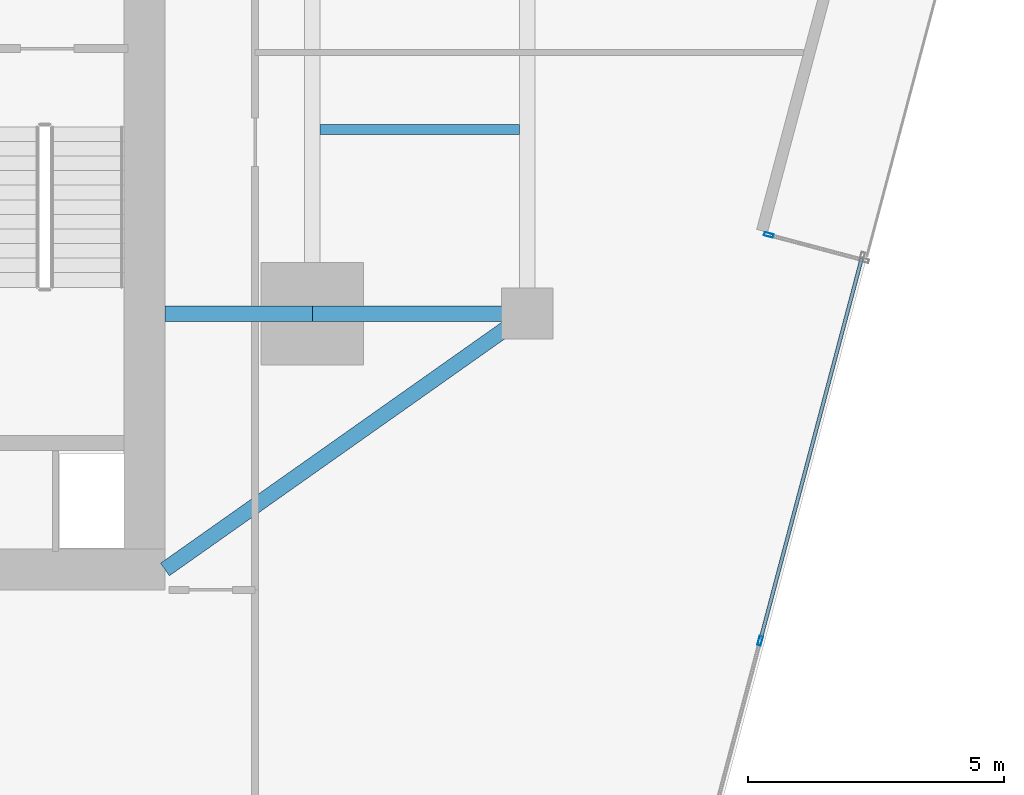
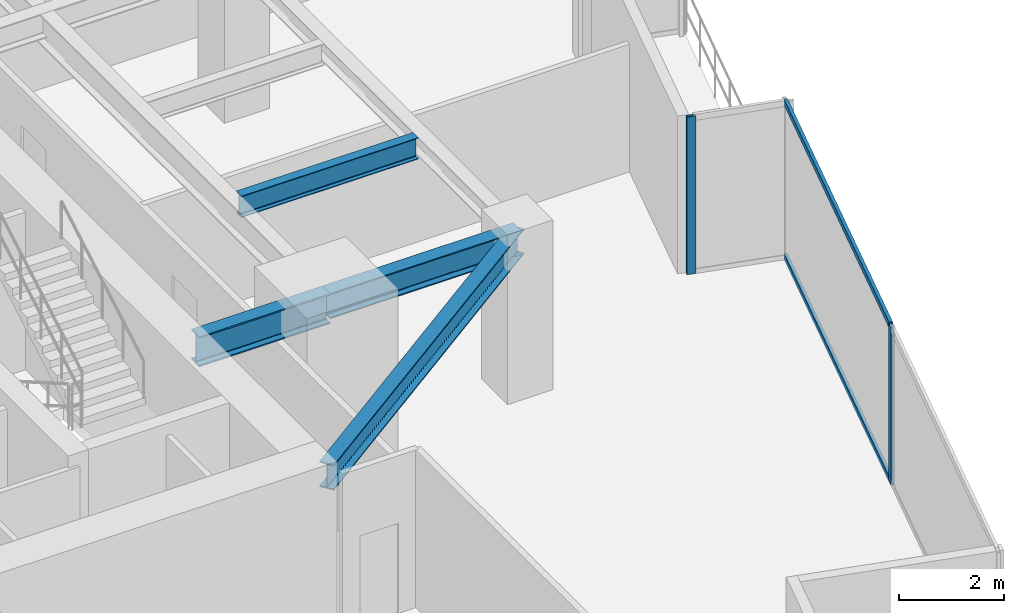
# One storey, part 11 of 27: 4 beams, 4 members, 2 elements without a shape of their own.
"""IFC4 building model written with IfcOpenShell, lengths in metres."""

from ifc_helpers import new_model, si_unit, direction, frame, origin, origin_2d, place, context, subcontext, project, spatial, hollow_rectangle, i_section, extrude, source, transform, mapped, material, material_profile, profile_set, type_object, type_shapes, element, aggregate, save


model = new_model("IFC4")

# Units and contexts
model_context = context("Model", 3, precision=1e-05, world=origin(), true_north=direction((0.0, 1.0)))
body_context = subcontext(model_context, "Body", "Model", "MODEL_VIEW")
ifc_project = project(units=[si_unit("LENGTHUNIT", "METRE"), si_unit("AREAUNIT", "SQUARE_METRE"), si_unit("VOLUMEUNIT", "CUBIC_METRE"), si_unit("PLANEANGLEUNIT", "RADIAN"), si_unit("MASSUNIT", "GRAM", prefix="KILO")], contexts=[model_context])

# Site, building, storey
site_placement = place(None, origin())
site = spatial("IfcSite", under=ifc_project, at=site_placement, CompositionType="ELEMENT")
building_placement = place(site_placement, origin())
building = spatial("IfcBuilding", under=site, at=building_placement, Name="Krantzveldt Concourse Tower", CompositionType="ELEMENT")
storey_placement = place(building_placement, frame((0.0, 0.0, 105.85009765625)))
storey = spatial("IfcBuildingStorey", under=building, at=storey_placement, Name="L25", CompositionType="ELEMENT", Elevation=105.85009765625)

# Beams
ifc_material_1 = material(Name="Steel S355J2", Category="steel")
ifc_material_profile_1 = material_profile(ifc_material_1, i_section(OverallWidth=0.300048828125, OverallDepth=0.699951171875, WebThickness=0.01708984375, FlangeThickness=0.031982421875, FilletRadius=0.027099609375, at=origin_2d()), Name="Steel S355J2", Category="steel")
ifc_profile_set_1 = profile_set([ifc_material_profile_1], Name="Steel S355J2 - HEB 700")
beam_type_1 = type_object("IfcBeamType", Name="BM-B-HEB700", PredefinedType="BEAM", material=ifc_profile_set_1)
shared_shape_1 = source(origin(), body_context, "Body", "SweptSolid", [
    extrude(i_section(OverallWidth=0.300048828125, OverallDepth=0.699951171875, WebThickness=0.01708984375, FlangeThickness=0.031982421875, FilletRadius=0.027099609375, at=origin_2d()), origin(), (0.0, 0.0, 1.0), 2.880126953125),
])
type_shapes(beam_type_1, [shared_shape_1])
beam_1_placement = place(storey_placement, frame((43.919921875, 15.89990234375, 3.31982421875), z_axis=(1.0, 0.0, 0.0), x_axis=(0.0, 1.0, 0.0)))
element("IfcBeam", 1, at=beam_1_placement, inside=storey, type_object=beam_type_1, Name="L25 Tower Girder BG-CE1", PredefinedType="BEAM", context=body_context, shape_type="MappedRepresentation", body=[
    mapped(shared_shape_1, transform((0.0, 0.0, 0.0), x_axis=(1.0, 0.0, 0.0), y_axis=(0.0, 1.0, 0.0), z_axis=(0.0, 0.0, 1.0), scale=1.0)),
])
ifc_material_2 = material(Name="Steel S355JR", Category="steel")
ifc_material_profile_2 = material_profile(ifc_material_2, i_section(OverallWidth=0.300048828125, OverallDepth=0.590087890625, WebThickness=0.012939453125, FlangeThickness=0.02490234375, FilletRadius=0.027099609375, at=origin_2d()), Name="Steel S355JR", Category="steel")
ifc_profile_set_2 = profile_set([ifc_material_profile_2], Name="Steel S355JR - HEA 600")
beam_type_2 = type_object("IfcBeamType", Name="BM-B-HEA600", PredefinedType="BEAM", material=ifc_profile_set_2)
shared_shape_2 = source(origin(), body_context, "Body", "SweptSolid", [
    extrude(i_section(OverallWidth=0.300048828125, OverallDepth=0.590087890625, WebThickness=0.012939453125, FlangeThickness=0.02490234375, FilletRadius=0.027099609375, at=origin_2d()), origin(), (0.0, 0.0, 1.0), 4.199951171875),
])
beam_2_placement = place(storey_placement, frame((46.800048828125, 15.89990234375, 3.375), z_axis=(1.0, 0.0, 0.0), x_axis=(0.0, 1.0, 0.0)))
element("IfcBeam", 2, at=beam_2_placement, inside=storey, type_object=beam_type_2, Name="L25 Tower Girder BR-RR1", PredefinedType="BEAM", context=body_context, shape_type="MappedRepresentation", body=[
    mapped(shared_shape_2, transform((0.0, 0.0, 0.0), x_axis=(1.0, 0.0, 0.0), y_axis=(0.0, 1.0, 0.0), z_axis=(0.0, 0.0, 1.0), scale=1.0)),
])
shared_shape_3 = source(origin(), body_context, "Body", "SweptSolid", [
    extrude(i_section(OverallWidth=0.300048828125, OverallDepth=0.590087890625, WebThickness=0.012939453125, FlangeThickness=0.02490234375, FilletRadius=0.027099609375, at=origin_2d()), origin(), (0.0, 0.0, 1.0), 8.667724609375),
])
type_shapes(beam_type_2, [shared_shape_2, shared_shape_3])
beam_3_placement = place(storey_placement, frame((51.0, 15.89990234375, 3.375), z_axis=(-0.81684294656, -0.576860122261, 0.0), x_axis=(0.576860122261, -0.81684294656, 0.0)))
element("IfcBeam", 3, at=beam_3_placement, inside=storey, type_object=beam_type_2, Name="L25 Tower Girder BR-CSE", PredefinedType="BEAM", context=body_context, shape_type="MappedRepresentation", body=[
    mapped(shared_shape_3, transform((0.0, 0.0, 0.0), x_axis=(1.0, 0.0, 0.0), y_axis=(0.0, 1.0, 0.0), z_axis=(0.0, 0.0, 1.0), scale=1.0)),
])
ifc_material_profile_3 = material_profile(ifc_material_2, i_section(OverallWidth=0.199951171875, OverallDepth=0.5, WebThickness=0.01025390625, FlangeThickness=0.01611328125, FilletRadius=0.02099609375, at=origin_2d()), Name="Steel S355JR", Category="steel")
ifc_profile_set_3 = profile_set([ifc_material_profile_3], Name="Steel S355JR - IPE 500")
beam_type_3 = type_object("IfcBeamType", Name="BM-J-IPE500", PredefinedType="JOIST", material=ifc_profile_set_3)
shared_shape_4 = source(origin(), body_context, "Body", "SweptSolid", [
    extrude(i_section(OverallWidth=0.199951171875, OverallDepth=0.5, WebThickness=0.01025390625, FlangeThickness=0.01611328125, FilletRadius=0.02099609375, at=origin_2d()), origin(), (0.0, 0.0, 1.0), 3.900146484375),
])
type_shapes(beam_type_3, [shared_shape_4])
beam_4_placement = place(storey_placement, frame((46.949951171875, 19.5, 3.419921875), z_axis=(1.0, 0.0, 0.0), x_axis=(0.0, 1.0, 0.0)))
element("IfcBeam", 4, at=beam_4_placement, inside=storey, type_object=beam_type_3, Name="L25 Secondary Floor Joist JE-1", PredefinedType="JOIST", context=body_context, shape_type="MappedRepresentation", body=[
    mapped(shared_shape_4, transform((0.0, 0.0, 0.0), x_axis=(1.0, 0.0, 0.0), y_axis=(0.0, 1.0, 0.0), z_axis=(0.0, 0.0, 1.0), scale=1.0)),
])

# Curtain wall, member
ifc_material_3 = material(Name="Anodised aluminium 6063-T6", Category="aluminium")
curtain_wall_type_1 = type_object("IfcCurtainWallType", Name="CW2", PredefinedType="USERDEFINED", material=ifc_material_3)
curtain_wall_1_placement = place(storey_placement, origin())
curtain_wall_1 = element("IfcCurtainWall", 5, at=curtain_wall_1_placement, inside=storey, type_object=curtain_wall_type_1, Name="CW-L25-F07", ObjectType="UNITISED CURTAIN WALL", PredefinedType="USERDEFINED")
ifc_material_profile_4 = material_profile(ifc_material_3, hollow_rectangle(XDim=0.070068359375, YDim=0.179931640625, WallThickness=0.0048828125, at=origin_2d()), Name="Anodised aluminium 6063-T6", Category="aluminium")
ifc_profile_set_4 = profile_set([ifc_material_profile_4], Name="Anodised aluminium 6063-T6 - ALU-MULL 180x70x5")
member_type_1 = type_object("IfcMemberType", Name="CW-MUL-180", PredefinedType="MULLION", material=ifc_profile_set_4)
shared_shape_5 = source(origin(), body_context, "Body", "SweptSolid", [
    extrude(hollow_rectangle(XDim=0.070068359375, YDim=0.179931640625, WallThickness=0.0048828125, at=origin_2d()), origin(), (0.0, 0.0, 1.0), 3.669921875),
])
type_shapes(member_type_1, [shared_shape_5])
member_1_placement = place(storey_placement, frame((55.551025390625, 9.5048828125, 0.0), z_axis=(0.0, 0.0, 1.0), x_axis=(-0.966488210944, 0.256711001141, 0.0)))
member_1 = element("IfcMember", 6, at=member_1_placement, type_object=member_type_1, Name="CW-Z12 mullion 2", PredefinedType="MULLION", context=body_context, shape_type="MappedRepresentation", body=[
    mapped(shared_shape_5, transform((0.0, 0.0, 0.0), x_axis=(1.0, 0.0, 0.0), y_axis=(0.0, 1.0, 0.0), z_axis=(0.0, 0.0, 1.0), scale=1.0)),
])

curtain_wall_type_2 = type_object("IfcCurtainWallType", Name="CW6", PredefinedType="USERDEFINED", material=ifc_material_3)
curtain_wall_2_placement = place(storey_placement, origin())
curtain_wall_2 = element("IfcCurtainWall", 7, at=curtain_wall_2_placement, inside=storey, type_object=curtain_wall_type_2, Name="CW-L25-TR08", ObjectType="UNITISED CURTAIN WALL", PredefinedType="USERDEFINED")
member_2_placement = place(storey_placement, frame((55.718017578125, 17.437744140625, 0.0), z_axis=(0.0, 0.0, 1.0), x_axis=(-0.256714292587, -0.96648733669, 0.0)))
member_2 = element("IfcMember", 8, at=member_2_placement, type_object=member_type_1, Name="CW-TERR mullion 2", PredefinedType="MULLION", context=body_context, shape_type="MappedRepresentation", body=[
    mapped(shared_shape_5, transform((0.0, 0.0, 0.0), x_axis=(1.0, 0.0, 0.0), y_axis=(0.0, 1.0, 0.0), z_axis=(0.0, 0.0, 1.0), scale=1.0)),
])
aggregate(curtain_wall_2, [member_2])

# Member
ifc_material_profile_5 = material_profile(ifc_material_3, hollow_rectangle(XDim=0.070068359375, YDim=0.139892578125, WallThickness=0.0048828125, at=origin_2d()), Name="Anodised aluminium 6063-T6", Category="aluminium")
ifc_profile_set_5 = profile_set([ifc_material_profile_5], Name="Anodised aluminium 6063-T6 - ALU-TRAN 140x70x5")
member_type_2 = type_object("IfcMemberType", Name="CW-TRN-150", PredefinedType="USERDEFINED", material=ifc_profile_set_5)
shared_shape_6 = source(origin(), body_context, "Body", "SweptSolid", [
    extrude(hollow_rectangle(XDim=0.070068359375, YDim=0.139892578125, WallThickness=0.0048828125, at=origin_2d()), origin(), (0.0, 0.0, 1.0), 7.695068359375),
])
type_shapes(member_type_2, [shared_shape_6])
member_3_placement = place(storey_placement, frame((55.56005859375, 9.53857421875, 0.034912109375), z_axis=(0.256700848044, 0.966490907672, 0.0), x_axis=(-0.966490907672, 0.256700848044, 0.0)))
member_3 = element("IfcMember", 9, at=member_3_placement, type_object=member_type_2, Name="CW-Z12 transom 2.1", ObjectType="TRANSOM", PredefinedType="USERDEFINED", context=body_context, shape_type="MappedRepresentation", body=[
    mapped(shared_shape_6, transform((0.0, 0.0, 0.0), x_axis=(1.0, 0.0, 0.0), y_axis=(0.0, 1.0, 0.0), z_axis=(0.0, 0.0, 1.0), scale=1.0)),
])

member_4_placement = place(storey_placement, frame((55.56005859375, 9.53857421875, 3.635009765625), z_axis=(0.256700848044, 0.966490907672, 0.0), x_axis=(-0.966490907672, 0.256700848044, 0.0)))
member_4 = element("IfcMember", 10, at=member_4_placement, type_object=member_type_2, Name="CW-Z12 transom 2.2", ObjectType="TRANSOM", PredefinedType="USERDEFINED", context=body_context, shape_type="MappedRepresentation", body=[
    mapped(shared_shape_6, transform((0.0, 0.0, 0.0), x_axis=(1.0, 0.0, 0.0), y_axis=(0.0, 1.0, 0.0), z_axis=(0.0, 0.0, 1.0), scale=1.0)),
])

aggregate(curtain_wall_1, [member_1, member_3, member_4])

save(model, "model.ifc")
